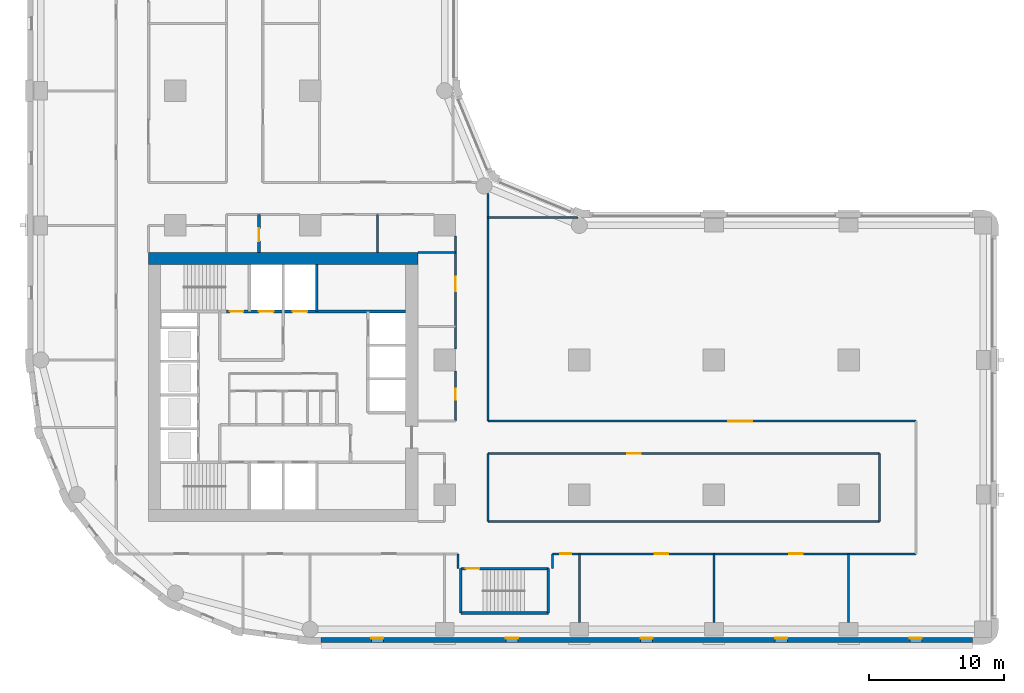
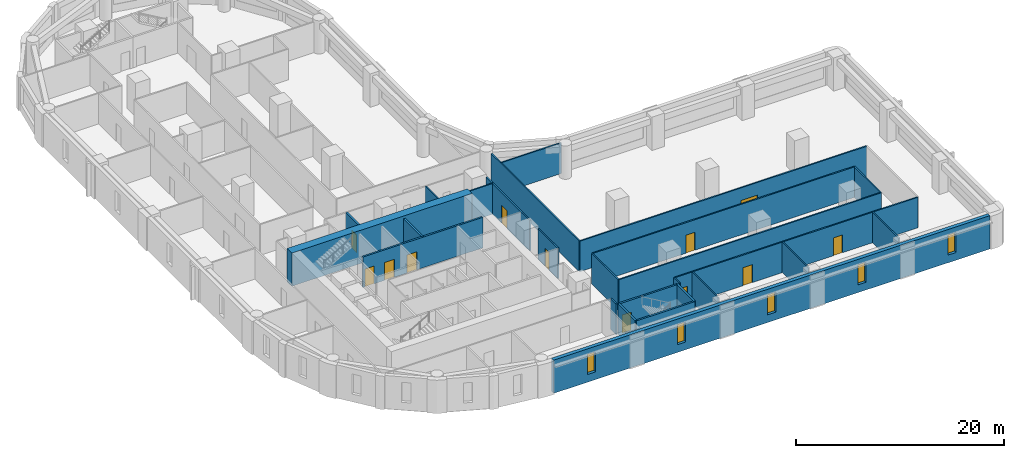
# One storey, part 4 of 10: 26 walls, 12 doors, 5 windows, 17 openings.
"""IFC4 building model written with IfcOpenShell, lengths in metres."""

from ifc_helpers import new_model, si_unit, direction, frame, frame_2d, origin, place, context, subcontext, project, spatial, rectangle, extrude, material, layer, layer_set, type_object, element, fill, save


model = new_model("IFC4")

# Units and contexts
model_context = context("Model", 3, precision=1e-05, world=origin(), true_north=direction((0.0, 1.0)))
body_context = subcontext(model_context, "Body", "Model", "MODEL_VIEW")
ifc_project = project(units=[si_unit("LENGTHUNIT", "METRE"), si_unit("AREAUNIT", "SQUARE_METRE"), si_unit("VOLUMEUNIT", "CUBIC_METRE"), si_unit("PLANEANGLEUNIT", "RADIAN"), si_unit("MASSUNIT", "GRAM", prefix="KILO")], contexts=[model_context])

# Site, building, storey
site_placement = place(None, origin())
site = spatial("IfcSite", under=ifc_project, at=site_placement, CompositionType="ELEMENT")
building_placement = place(site_placement, origin())
building = spatial("IfcBuilding", under=site, at=building_placement, Name="Qaws Garden Tower", CompositionType="ELEMENT")
storey_placement = place(building_placement, frame((0.0, 0.0, 101.699951171875)))
storey = spatial("IfcBuildingStorey", under=building, at=storey_placement, Name="L25", CompositionType="ELEMENT", Elevation=101.699951171875)

# Wall, opening, door
ifc_material_1 = material(Name="Blockwork", Category="masonry")
ifc_layer_1 = layer(ifc_material_1, 0.199951171875)
ifc_layer_set_1 = layer_set([ifc_layer_1], Name="Blockwork")
wall_type_1 = type_object("IfcWallType", Name="BLOCK WALL 200 EI 60", PredefinedType="PARTITIONING", material=ifc_layer_set_1)
wall_1_placement = place(storey_placement, frame((16.199951171875, 28.0, 0.0), z_axis=(0.0, 0.0, 1.0), x_axis=(0.0, 1.0, 0.0)))
wall_1 = element("IfcWall", 1, at=wall_1_placement, inside=storey, type_object=wall_type_1, Name="O-L25-wall-063", PredefinedType="PARTITIONING", context=body_context, shape_type="SweptSolid", body=[
    extrude(rectangle(XDim=2.800048828125, YDim=0.199951171875, at=frame_2d((1.39990234375, 0.0))), origin(), (0.0, 0.0, 1.0), 3.580078125),
])
opening_1_placement = place(wall_1_placement, frame((0.824951171875, 0.0, 0.0)))
opening_1 = element("IfcOpeningElement", 2, at=opening_1_placement, cuts=wall_1, Name="Opening A830", PredefinedType="OPENING", context=body_context, shape_type="SweptSolid", body=[
    extrude(rectangle(XDim=0.949951171875, YDim=2.10009765625, at=frame_2d((0.47509765625, 1.050048828125))), frame((0.0, 0.10986328125, 0.0), z_axis=(0.0, -1.0, 0.0), x_axis=(1.0, 0.0, 0.0)), (0.0, 0.0, 1.0), 0.219970703125),
])
ifc_material_2 = material(Name="Timber and glass door leaf", Category="wood")
door_type_1 = type_object("IfcDoorType", Name="GLAZED DOOR 950 X 2100", OperationType="SINGLE_SWING_LEFT", PredefinedType="DOOR", material=ifc_material_2)
door_1_placement = place(opening_1_placement, origin())
door_1 = element("IfcDoor", 3, at=door_1_placement, inside=storey, type_object=door_type_1, Name="O-L25-door-030", OperationType="SINGLE_SWING_LEFT", OverallHeight=2.10009765625, OverallWidth=0.949951171875, PredefinedType="DOOR", context=body_context, shape_type="SweptSolid", body=[
    extrude(rectangle(XDim=0.949951171875, YDim=2.10009765625, at=frame_2d((0.47509765625, 1.050048828125))), frame((0.0, 0.02490234375, 0.0), z_axis=(0.0, -1.0, 0.0), x_axis=(1.0, 0.0, 0.0)), (0.0, 0.0, 1.0), 0.050048828125),
])
fill(opening_1, door_1)

# Wall, openings, windows
ifc_material_3 = material(Name="Clay facing brick masonry", Category="masonry")
ifc_layer_2 = layer(ifc_material_3, 0.39990234375)
ifc_layer_set_2 = layer_set([ifc_layer_2], Name="Clay facing brick masonry")
wall_type_2 = type_object("IfcWallType", Name="Brick infill wall 400", PredefinedType="SOLIDWALL", material=ifc_layer_set_2)
wall_2_placement = place(storey_placement, frame((20.800048828125, -0.800048828125, 0.0), z_axis=(0.0, 0.0, 1.0), x_axis=(1.0, 0.0, 0.0)))
wall_2 = element("IfcWall", 4, at=wall_2_placement, inside=storey, type_object=wall_type_2, Name="E-L25-infill-00", PredefinedType="SOLIDWALL", context=body_context, shape_type="SweptSolid", body=[
    extrude(rectangle(XDim=48.39990234375, YDim=0.39990234375, at=frame_2d((24.199951171875, 0.0))), origin(), (0.0, 0.0, 1.0), 3.900146484375),
])
opening_2_placement = place(wall_2_placement, frame((3.75, 0.0, 0.89990234375)))
opening_2 = element("IfcOpeningElement", 5, at=opening_2_placement, cuts=wall_2, Name="Opening W09", PredefinedType="OPENING", context=body_context, shape_type="SweptSolid", body=[
    extrude(rectangle(XDim=0.89990234375, YDim=2.35009765625, at=frame_2d((0.449951171875, 1.175048828125))), frame((0.0, 0.2099609375, 0.0), z_axis=(0.0, -1.0, 0.0), x_axis=(1.0, 0.0, 0.0)), (0.0, 0.0, 1.0), 0.419921875),
])
opening_3_placement = place(wall_2_placement, frame((13.75, 0.0, 0.89990234375)))
opening_3 = element("IfcOpeningElement", 6, at=opening_3_placement, cuts=wall_2, Name="Opening W09", PredefinedType="OPENING", context=body_context, shape_type="SweptSolid", body=[
    extrude(rectangle(XDim=0.89990234375, YDim=2.35009765625, at=frame_2d((0.449951171875, 1.175048828125))), frame((0.0, 0.2099609375, 0.0), z_axis=(0.0, -1.0, 0.0), x_axis=(1.0, 0.0, 0.0)), (0.0, 0.0, 1.0), 0.419921875),
])
opening_4_placement = place(wall_2_placement, frame((23.75, 0.0, 0.89990234375)))
opening_4 = element("IfcOpeningElement", 7, at=opening_4_placement, cuts=wall_2, Name="Opening W09", PredefinedType="OPENING", context=body_context, shape_type="SweptSolid", body=[
    extrude(rectangle(XDim=0.89990234375, YDim=2.35009765625, at=frame_2d((0.449951171875, 1.175048828125))), frame((0.0, 0.2099609375, 0.0), z_axis=(0.0, -1.0, 0.0), x_axis=(1.0, 0.0, 0.0)), (0.0, 0.0, 1.0), 0.419921875),
])
opening_5_placement = place(wall_2_placement, frame((33.75, 0.0, 0.89990234375)))
opening_5 = element("IfcOpeningElement", 8, at=opening_5_placement, cuts=wall_2, Name="Opening W09", PredefinedType="OPENING", context=body_context, shape_type="SweptSolid", body=[
    extrude(rectangle(XDim=0.89990234375, YDim=2.35009765625, at=frame_2d((0.449951171875, 1.175048828125))), frame((0.0, 0.2099609375, 0.0), z_axis=(0.0, -1.0, 0.0), x_axis=(1.0, 0.0, 0.0)), (0.0, 0.0, 1.0), 0.419921875),
])
opening_6_placement = place(wall_2_placement, frame((43.75, 0.0, 0.89990234375)))
opening_6 = element("IfcOpeningElement", 9, at=opening_6_placement, cuts=wall_2, Name="Opening W09", PredefinedType="OPENING", context=body_context, shape_type="SweptSolid", body=[
    extrude(rectangle(XDim=0.89990234375, YDim=2.35009765625, at=frame_2d((0.449951171875, 1.175048828125))), frame((0.0, 0.2099609375, 0.0), z_axis=(0.0, -1.0, 0.0), x_axis=(1.0, 0.0, 0.0)), (0.0, 0.0, 1.0), 0.419921875),
])
ifc_material_4 = material(Name="Aluminium framed window, clear glazing", Category="aluminium")
window_type = type_object("IfcWindowType", Name="Slit window 900 x 2350", PartitioningType="SINGLE_PANEL", PredefinedType="WINDOW", material=ifc_material_4)
window_1_placement = place(opening_2_placement, origin())
window_1 = element("IfcWindow", 10, at=window_1_placement, inside=storey, type_object=window_type, Name="E-L25-window-00-0", OverallHeight=2.35009765625, OverallWidth=0.89990234375, PartitioningType="SINGLE_PANEL", PredefinedType="WINDOW", context=body_context, shape_type="SweptSolid", body=[
    extrude(rectangle(XDim=0.89990234375, YDim=2.35009765625, at=frame_2d((0.449951171875, 1.175048828125))), frame((0.0, 0.159912109375, 0.0), z_axis=(0.0, -1.0, 0.0), x_axis=(1.0, 0.0, 0.0)), (0.0, 0.0, 1.0), 0.06005859375),
])
fill(opening_2, window_1)
window_2_placement = place(opening_3_placement, origin())
window_2 = element("IfcWindow", 11, at=window_2_placement, inside=storey, type_object=window_type, Name="E-L25-window-01-0", OverallHeight=2.35009765625, OverallWidth=0.89990234375, PartitioningType="SINGLE_PANEL", PredefinedType="WINDOW", context=body_context, shape_type="SweptSolid", body=[
    extrude(rectangle(XDim=0.89990234375, YDim=2.35009765625, at=frame_2d((0.449951171875, 1.175048828125))), frame((0.0, 0.159912109375, 0.0), z_axis=(0.0, -1.0, 0.0), x_axis=(1.0, 0.0, 0.0)), (0.0, 0.0, 1.0), 0.06005859375),
])
fill(opening_3, window_2)
window_3_placement = place(opening_4_placement, origin())
window_3 = element("IfcWindow", 12, at=window_3_placement, inside=storey, type_object=window_type, Name="E-L25-window-02-0", OverallHeight=2.35009765625, OverallWidth=0.89990234375, PartitioningType="SINGLE_PANEL", PredefinedType="WINDOW", context=body_context, shape_type="SweptSolid", body=[
    extrude(rectangle(XDim=0.89990234375, YDim=2.35009765625, at=frame_2d((0.449951171875, 1.175048828125))), frame((0.0, 0.159912109375, 0.0), z_axis=(0.0, -1.0, 0.0), x_axis=(1.0, 0.0, 0.0)), (0.0, 0.0, 1.0), 0.06005859375),
])
fill(opening_4, window_3)
window_4_placement = place(opening_5_placement, origin())
window_4 = element("IfcWindow", 13, at=window_4_placement, inside=storey, type_object=window_type, Name="E-L25-window-03-0", OverallHeight=2.35009765625, OverallWidth=0.89990234375, PartitioningType="SINGLE_PANEL", PredefinedType="WINDOW", context=body_context, shape_type="SweptSolid", body=[
    extrude(rectangle(XDim=0.89990234375, YDim=2.35009765625, at=frame_2d((0.449951171875, 1.175048828125))), frame((0.0, 0.159912109375, 0.0), z_axis=(0.0, -1.0, 0.0), x_axis=(1.0, 0.0, 0.0)), (0.0, 0.0, 1.0), 0.06005859375),
])
fill(opening_5, window_4)
window_5_placement = place(opening_6_placement, origin())
window_5 = element("IfcWindow", 14, at=window_5_placement, inside=storey, type_object=window_type, Name="E-L25-window-04-0", OverallHeight=2.35009765625, OverallWidth=0.89990234375, PartitioningType="SINGLE_PANEL", PredefinedType="WINDOW", context=body_context, shape_type="SweptSolid", body=[
    extrude(rectangle(XDim=0.89990234375, YDim=2.35009765625, at=frame_2d((0.449951171875, 1.175048828125))), frame((0.0, 0.159912109375, 0.0), z_axis=(0.0, -1.0, 0.0), x_axis=(1.0, 0.0, 0.0)), (0.0, 0.0, 1.0), 0.06005859375),
])
fill(opening_6, window_5)

# Wall
ifc_material_5 = material(Name="Concrete C80", Category="concrete")
ifc_layer_3 = layer(ifc_material_5, 0.199951171875)
ifc_layer_set_3 = layer_set([ifc_layer_3], Name="Concrete C80")
wall_type_3 = type_object("IfcWallType", Name="Core shaft wall 200 C80", PredefinedType="SHEAR", material=ifc_layer_set_3)
wall_3_placement = place(storey_placement, frame((31.199951171875, 1.199951171875, 0.0), z_axis=(0.0, 0.0, 1.0), x_axis=(1.0, 0.0, 0.0)))
element("IfcWall", 15, at=wall_3_placement, inside=storey, type_object=wall_type_3, Name="Shaft wall", PredefinedType="SHEAR", context=body_context, shape_type="SweptSolid", body=[
    extrude(rectangle(XDim=6.5, YDim=0.199951171875, at=frame_2d((3.25, 0.0))), origin(), (0.0, 0.0, 1.0), 3.580078125),
])

# Wall, opening, door
wall_4_placement = place(storey_placement, frame((31.199951171875, 4.5, 0.0), z_axis=(0.0, 0.0, 1.0), x_axis=(1.0, 0.0, 0.0)))
wall_4 = element("IfcWall", 16, at=wall_4_placement, inside=storey, type_object=wall_type_3, Name="Shaft wall", PredefinedType="SHEAR", context=body_context, shape_type="SweptSolid", body=[
    extrude(rectangle(XDim=6.5, YDim=0.199951171875, at=frame_2d((3.25, 0.0))), origin(), (0.0, 0.0, 1.0), 3.580078125),
])
opening_7_placement = place(wall_4_placement, frame((0.375, 0.0, 0.0)))
opening_7 = element("IfcOpeningElement", 17, at=opening_7_placement, cuts=wall_4, Name="Opening SD12", PredefinedType="OPENING", context=body_context, shape_type="SweptSolid", body=[
    extrude(rectangle(XDim=1.0, YDim=2.10009765625, at=frame_2d((0.5, 1.050048828125))), frame((0.0, 0.10986328125, 0.0), z_axis=(0.0, -1.0, 0.0), x_axis=(1.0, 0.0, 0.0)), (0.0, 0.0, 1.0), 0.219970703125),
])
ifc_material_6 = material(Name="Steel S235", Category="steel")
door_type_2 = type_object("IfcDoorType", Name="Stair door 1000x2100", OperationType="SINGLE_SWING_RIGHT", PredefinedType="DOOR", material=ifc_material_6)
door_2_placement = place(opening_7_placement, frame((1.0, 0.0, 0.0), z_axis=(0.0, 0.0, 1.0), x_axis=(-1.0, 0.0, 0.0)))
door_2 = element("IfcDoor", 18, at=door_2_placement, inside=storey, type_object=door_type_2, Name="Stair 5 door", OperationType="SINGLE_SWING_RIGHT", OverallHeight=2.10009765625, OverallWidth=1.0, PredefinedType="DOOR", context=body_context, shape_type="SweptSolid", body=[
    extrude(rectangle(XDim=1.0, YDim=2.10009765625, at=frame_2d((0.5, 1.050048828125))), frame((0.0, 0.02490234375, 0.0), z_axis=(0.0, -1.0, 0.0), x_axis=(1.0, 0.0, 0.0)), (0.0, 0.0, 1.0), 0.050048828125),
])
fill(opening_7, door_2)

# Wall, openings, doors
wall_5_placement = place(storey_placement, frame((13.800048828125, 23.60009765625, 0.0), z_axis=(0.0, 0.0, 1.0), x_axis=(1.0, 0.0, 0.0)))
wall_5 = element("IfcWall", 19, at=wall_5_placement, inside=storey, type_object=wall_type_3, Name="Shaft wall", PredefinedType="SHEAR", context=body_context, shape_type="SweptSolid", body=[
    extrude(rectangle(XDim=13.300048828125, YDim=0.199951171875, at=frame_2d((6.64990234375, 0.0))), origin(), (0.0, 0.0, 1.0), 3.580078125),
])
opening_8_placement = place(wall_5_placement, frame((2.39990234375, 0.0, 0.0)))
opening_8 = element("IfcOpeningElement", 20, at=opening_8_placement, cuts=wall_5, Name="Opening LD08", PredefinedType="OPENING", context=body_context, shape_type="SweptSolid", body=[
    extrude(rectangle(XDim=1.10009765625, YDim=2.10009765625, at=frame_2d((0.550048828125, 1.050048828125))), frame((0.0, 0.10986328125, 0.0), z_axis=(0.0, -1.0, 0.0), x_axis=(1.0, 0.0, 0.0)), (0.0, 0.0, 1.0), 0.219970703125),
])
opening_9_placement = place(wall_5_placement, frame((4.89990234375, 0.0, 0.0)))
opening_9 = element("IfcOpeningElement", 21, at=opening_9_placement, cuts=wall_5, Name="Opening LD09", PredefinedType="OPENING", context=body_context, shape_type="SweptSolid", body=[
    extrude(rectangle(XDim=1.10009765625, YDim=2.10009765625, at=frame_2d((0.550048828125, 1.050048828125))), frame((0.0, 0.10986328125, 0.0), z_axis=(0.0, -1.0, 0.0), x_axis=(1.0, 0.0, 0.0)), (0.0, 0.0, 1.0), 0.219970703125),
])
opening_10_placement = place(wall_5_placement, frame((0.25, 0.0, 0.0)))
opening_10 = element("IfcOpeningElement", 22, at=opening_10_placement, cuts=wall_5, Name="Opening SD11", PredefinedType="OPENING", context=body_context, shape_type="SweptSolid", body=[
    extrude(rectangle(XDim=1.0, YDim=2.10009765625, at=frame_2d((0.5, 1.050048828125))), frame((0.0, 0.10986328125, 0.0), z_axis=(0.0, -1.0, 0.0), x_axis=(1.0, 0.0, 0.0)), (0.0, 0.0, 1.0), 0.219970703125),
])
ifc_material_7 = material(Name="Steel S235", Category="steel")
door_type_3 = type_object("IfcDoorType", Name="Landing door 1100x2100", OperationType="DOUBLE_DOOR_SLIDING", PredefinedType="DOOR", material=ifc_material_7)
door_3_placement = place(opening_8_placement, origin())
door_3 = element("IfcDoor", 23, at=door_3_placement, inside=storey, type_object=door_type_3, Name="Lift FF3 landing door", OperationType="DOUBLE_DOOR_SLIDING", OverallHeight=2.10009765625, OverallWidth=1.10009765625, PredefinedType="DOOR", context=body_context, shape_type="SweptSolid", body=[
    extrude(rectangle(XDim=1.10009765625, YDim=2.10009765625, at=frame_2d((0.550048828125, 1.050048828125))), frame((0.0, 0.02490234375, 0.0), z_axis=(0.0, -1.0, 0.0), x_axis=(1.0, 0.0, 0.0)), (0.0, 0.0, 1.0), 0.050048828125),
])
fill(opening_8, door_3)
door_4_placement = place(opening_9_placement, origin())
door_4 = element("IfcDoor", 24, at=door_4_placement, inside=storey, type_object=door_type_3, Name="Lift SV2 landing door", OperationType="DOUBLE_DOOR_SLIDING", OverallHeight=2.10009765625, OverallWidth=1.10009765625, PredefinedType="DOOR", context=body_context, shape_type="SweptSolid", body=[
    extrude(rectangle(XDim=1.10009765625, YDim=2.10009765625, at=frame_2d((0.550048828125, 1.050048828125))), frame((0.0, 0.02490234375, 0.0), z_axis=(0.0, -1.0, 0.0), x_axis=(1.0, 0.0, 0.0)), (0.0, 0.0, 1.0), 0.050048828125),
])
fill(opening_9, door_4)
door_5_placement = place(opening_10_placement, origin())
door_5 = element("IfcDoor", 25, at=door_5_placement, inside=storey, type_object=door_type_2, Name="Stair 4 door", OperationType="SINGLE_SWING_RIGHT", OverallHeight=2.10009765625, OverallWidth=1.0, PredefinedType="DOOR", context=body_context, shape_type="SweptSolid", body=[
    extrude(rectangle(XDim=1.0, YDim=2.10009765625, at=frame_2d((0.5, 1.050048828125))), frame((0.0, 0.02490234375, 0.0), z_axis=(0.0, -1.0, 0.0), x_axis=(1.0, 0.0, 0.0)), (0.0, 0.0, 1.0), 0.050048828125),
])
fill(opening_10, door_5)

# Walls
wall_6_placement = place(storey_placement, frame((20.5, 23.60009765625, 0.0), z_axis=(0.0, 0.0, 1.0), x_axis=(0.0, 1.0, 0.0)))
element("IfcWall", 26, at=wall_6_placement, inside=storey, type_object=wall_type_3, Name="Shaft wall", PredefinedType="SHEAR", context=body_context, shape_type="SweptSolid", body=[
    extrude(rectangle(XDim=3.5, YDim=0.199951171875, at=frame_2d((1.75, 0.0))), origin(), (0.0, 0.0, 1.0), 3.580078125),
])
for number, where, z_axis, x_axis, name in (
    (27, (31.199951171875, 1.199951171875, 0.0), (0.0, 0.0, 1.0), (0.0, 1.0, 0.0), "Shaft wall"),
    (28, (37.699951171875, 1.199951171875, 0.0), (0.0, 0.0, 1.0), (0.0, 1.0, 0.0), "Shaft wall"),
):
    element("IfcWall", number, at=place(storey_placement, frame(where, z_axis=z_axis, x_axis=x_axis)), inside=storey, type_object=wall_type_3, Name=name, PredefinedType="SHEAR", context=body_context, shape_type="SweptSolid", body=[
        extrude(rectangle(XDim=3.300048828125, YDim=0.199951171875, at=frame_2d((1.64990234375, 0.0))), origin(), (0.0, 0.0, 1.0), 3.580078125),
    ])
ifc_material_8 = material(Name="Concrete C80", Category="concrete")
ifc_layer_4 = layer(ifc_material_8, 0.89990234375)
ifc_layer_set_4 = layer_set([ifc_layer_4], Name="Concrete C80")
wall_type_4 = type_object("IfcWallType", Name="Core wall 900 C80", PredefinedType="SHEAR", material=ifc_layer_set_4)
wall_7_placement = place(storey_placement, frame((28.0, 27.550048828125, 0.0), z_axis=(0.0, 0.0, 1.0), x_axis=(-1.0, 0.0, 0.0)))
element("IfcWall", 29, at=wall_7_placement, inside=storey, type_object=wall_type_4, Name="Core wall L25 north", PredefinedType="SHEAR", context=body_context, shape_type="SweptSolid", body=[
    extrude(rectangle(XDim=20.0, YDim=0.89990234375, at=frame_2d((10.0, 0.0))), origin(), (0.0, 0.0, 1.0), 3.900146484375),
])
ifc_material_9 = material(Name="Gypsum board partition")
ifc_layer_5 = layer(ifc_material_9, 0.14990234375)
ifc_layer_set_5 = layer_set([ifc_layer_5], Name="Gypsum board partition")
wall_type_5 = type_object("IfcWallType", Name="PARTITION 150 EI 60", PredefinedType="PARTITIONING", material=ifc_layer_set_5)
wall_8_placement = place(storey_placement, frame((25.0, 28.0, 0.0), z_axis=(0.0, 0.0, 1.0), x_axis=(0.0, 1.0, 0.0)))
element("IfcWall", 30, at=wall_8_placement, inside=storey, type_object=wall_type_5, Name="O-L25-wall-014", PredefinedType="PARTITIONING", context=body_context, shape_type="SweptSolid", body=[
    extrude(rectangle(XDim=2.800048828125, YDim=0.14990234375, at=frame_2d((1.39990234375, 0.0))), origin(), (0.0, 0.0, 1.0), 3.580078125),
])

# Wall, opening, door
wall_9_placement = place(storey_placement, frame((30.800048828125, 15.449951171875, 0.0), z_axis=(0.0, 0.0, 1.0), x_axis=(0.0, 1.0, 0.0)))
wall_9 = element("IfcWall", 31, at=wall_9_placement, inside=storey, type_object=wall_type_5, Name="O-L25-wall-020", PredefinedType="PARTITIONING", context=body_context, shape_type="SweptSolid", body=[
    extrude(rectangle(XDim=3.75, YDim=0.14990234375, at=frame_2d((1.875, 0.0))), origin(), (0.0, 0.0, 1.0), 3.580078125),
])
opening_11_placement = place(wall_9_placement, frame((1.60009765625, 0.0, 0.0)))
opening_11 = element("IfcOpeningElement", 32, at=opening_11_placement, cuts=wall_9, Name="Opening A808", PredefinedType="OPENING", context=body_context, shape_type="SweptSolid", body=[
    extrude(rectangle(XDim=0.800048828125, YDim=2.10009765625, at=frame_2d((0.39990234375, 1.050048828125))), frame((0.0, 0.0849609375, 0.0), z_axis=(0.0, -1.0, 0.0), x_axis=(1.0, 0.0, 0.0)), (0.0, 0.0, 1.0), 0.169921875),
])
ifc_material_10 = material(Name="Timber door leaf", Category="wood")
door_type_4 = type_object("IfcDoorType", Name="STORE DOOR 800 X 2100", OperationType="SINGLE_SWING_LEFT", PredefinedType="DOOR", material=ifc_material_10)
door_6_placement = place(opening_11_placement, origin())
door_6 = element("IfcDoor", 33, at=door_6_placement, inside=storey, type_object=door_type_4, Name="O-L25-door-008", OperationType="SINGLE_SWING_RIGHT", OverallHeight=2.10009765625, OverallWidth=0.800048828125, PredefinedType="DOOR", context=body_context, shape_type="SweptSolid", body=[
    extrude(rectangle(XDim=0.800048828125, YDim=2.10009765625, at=frame_2d((0.39990234375, 1.050048828125))), frame((0.0, 0.02490234375, 0.0), z_axis=(0.0, -1.0, 0.0), x_axis=(1.0, 0.0, 0.0)), (0.0, 0.0, 1.0), 0.050048828125),
])
fill(opening_11, door_6)

wall_10_placement = place(storey_placement, frame((30.800048828125, 20.800048828125, 0.0), z_axis=(0.0, 0.0, 1.0), x_axis=(0.0, 1.0, 0.0)))
wall_10 = element("IfcWall", 34, at=wall_10_placement, inside=storey, type_object=wall_type_5, Name="O-L25-wall-021", PredefinedType="PARTITIONING", context=body_context, shape_type="SweptSolid", body=[
    extrude(rectangle(XDim=8.39990234375, YDim=0.14990234375, at=frame_2d((4.199951171875, 0.0))), origin(), (0.0, 0.0, 1.0), 3.580078125),
])
opening_12_placement = place(wall_10_placement, frame((4.300048828125, 0.0, 0.0)))
opening_12 = element("IfcOpeningElement", 35, at=opening_12_placement, cuts=wall_10, Name="Opening A809", PredefinedType="OPENING", context=body_context, shape_type="SweptSolid", body=[
    extrude(rectangle(XDim=1.10009765625, YDim=2.10009765625, at=frame_2d((0.550048828125, 1.050048828125))), frame((0.0, 0.0849609375, 0.0), z_axis=(0.0, -1.0, 0.0), x_axis=(1.0, 0.0, 0.0)), (0.0, 0.0, 1.0), 0.169921875),
])
ifc_material_11 = material(Name="Timber door leaf", Category="wood")
door_type_5 = type_object("IfcDoorType", Name="SERVICE ROOM DOOR 1100 X 2100", OperationType="SINGLE_SWING_LEFT", PredefinedType="DOOR", material=ifc_material_11)
door_7_placement = place(opening_12_placement, origin())
door_7 = element("IfcDoor", 36, at=door_7_placement, inside=storey, type_object=door_type_5, Name="O-L25-door-009", OperationType="SINGLE_SWING_RIGHT", OverallHeight=2.10009765625, OverallWidth=1.10009765625, PredefinedType="DOOR", context=body_context, shape_type="SweptSolid", body=[
    extrude(rectangle(XDim=1.10009765625, YDim=2.10009765625, at=frame_2d((0.550048828125, 1.050048828125))), frame((0.0, 0.02490234375, 0.0), z_axis=(0.0, -1.0, 0.0), x_axis=(1.0, 0.0, 0.0)), (0.0, 0.0, 1.0), 0.050048828125),
])
fill(opening_12, door_7)

# Walls
wall_11_placement = place(storey_placement, frame((31.0, 4.5, 0.0), z_axis=(0.0, 0.0, 1.0), x_axis=(0.0, 1.0, 0.0)))
element("IfcWall", 37, at=wall_11_placement, inside=storey, type_object=wall_type_5, Name="O-L25-wall-022", PredefinedType="PARTITIONING", context=body_context, shape_type="SweptSolid", body=[
    extrude(rectangle(XDim=1.10009765625, YDim=0.14990234375, at=frame_2d((0.550048828125, 0.0))), origin(), (0.0, 0.0, 1.0), 3.580078125),
])
wall_12_placement = place(storey_placement, frame((33.199951171875, 8.0, 0.0), z_axis=(0.0, 0.0, 1.0), x_axis=(0.0, 1.0, 0.0)))
element("IfcWall", 38, at=wall_12_placement, inside=storey, type_object=wall_type_5, Name="O-L25-wall-023", PredefinedType="PARTITIONING", context=body_context, shape_type="SweptSolid", body=[
    extrude(rectangle(XDim=5.050048828125, YDim=0.14990234375, at=frame_2d((2.52490234375, 0.0))), origin(), (0.0, 0.0, 1.0), 3.580078125),
])
wall_13_placement = place(storey_placement, frame((33.199951171875, 15.449951171875, 0.0), z_axis=(0.0, 0.0, 1.0), x_axis=(0.0, 1.0, 0.0)))
element("IfcWall", 39, at=wall_13_placement, inside=storey, type_object=wall_type_5, Name="O-L25-wall-024", PredefinedType="PARTITIONING", context=body_context, shape_type="SweptSolid", body=[
    extrude(rectangle(XDim=16.912109375, YDim=0.14990234375, at=frame_2d((8.4560546875, 0.0))), origin(), (0.0, 0.0, 1.0), 3.580078125),
])
wall_14_placement = place(storey_placement, frame((38.0, 4.5, 0.0), z_axis=(0.0, 0.0, 1.0), x_axis=(0.0, 1.0, 0.0)))
element("IfcWall", 40, at=wall_14_placement, inside=storey, type_object=wall_type_5, Name="O-L25-wall-025", PredefinedType="PARTITIONING", context=body_context, shape_type="SweptSolid", body=[
    extrude(rectangle(XDim=1.10009765625, YDim=0.14990234375, at=frame_2d((0.550048828125, 0.0))), origin(), (0.0, 0.0, 1.0), 3.580078125),
])
for number, where, z_axis, x_axis, name in (
    (41, (40.0, 0.5, 0.0), (0.0, 0.0, 1.0), (0.0, 1.0, 0.0), "O-L25-wall-026"),
    (42, (50.0, 0.5, 0.0), (0.0, 0.0, 1.0), (0.0, 1.0, 0.0), "O-L25-wall-027"),
    (43, (60.0, 0.5, 0.0), (0.0, 0.0, 1.0), (0.0, 1.0, 0.0), "O-L25-wall-028"),
):
    element("IfcWall", number, at=place(storey_placement, frame(where, z_axis=z_axis, x_axis=x_axis)), inside=storey, type_object=wall_type_5, Name=name, PredefinedType="PARTITIONING", context=body_context, shape_type="SweptSolid", body=[
        extrude(rectangle(XDim=5.10009765625, YDim=0.14990234375, at=frame_2d((2.550048828125, 0.0))), origin(), (0.0, 0.0, 1.0), 3.580078125),
    ])
wall_15_placement = place(storey_placement, frame((62.300048828125, 8.0, 0.0), z_axis=(0.0, 0.0, 1.0), x_axis=(0.0, 1.0, 0.0)))
element("IfcWall", 44, at=wall_15_placement, inside=storey, type_object=wall_type_5, Name="O-L25-wall-029", PredefinedType="PARTITIONING", context=body_context, shape_type="SweptSolid", body=[
    extrude(rectangle(XDim=5.050048828125, YDim=0.14990234375, at=frame_2d((2.52490234375, 0.0))), origin(), (0.0, 0.0, 1.0), 3.580078125),
])

# Wall, openings, doors
wall_16_placement = place(storey_placement, frame((38.0, 5.60009765625, 0.0), z_axis=(0.0, 0.0, 1.0), x_axis=(1.0, 0.0, 0.0)))
wall_16 = element("IfcWall", 45, at=wall_16_placement, inside=storey, type_object=wall_type_5, Name="O-L25-wall-032", PredefinedType="PARTITIONING", context=body_context, shape_type="SweptSolid", body=[
    extrude(rectangle(XDim=27.0, YDim=0.14990234375, at=frame_2d((13.5, 0.0))), origin(), (0.0, 0.0, 1.0), 3.580078125),
])
opening_13_placement = place(wall_16_placement, frame((7.60009765625, 0.0, 0.0)))
opening_13 = element("IfcOpeningElement", 46, at=opening_13_placement, cuts=wall_16, Name="Opening A803", PredefinedType="OPENING", context=body_context, shape_type="SweptSolid", body=[
    extrude(rectangle(XDim=1.0, YDim=2.10009765625, at=frame_2d((0.5, 1.050048828125))), frame((0.0, 0.0849609375, 0.0), z_axis=(0.0, -1.0, 0.0), x_axis=(1.0, 0.0, 0.0)), (0.0, 0.0, 1.0), 0.169921875),
])
opening_14_placement = place(wall_16_placement, frame((17.60009765625, 0.0, 0.0)))
opening_14 = element("IfcOpeningElement", 47, at=opening_14_placement, cuts=wall_16, Name="Opening A804", PredefinedType="OPENING", context=body_context, shape_type="SweptSolid", body=[
    extrude(rectangle(XDim=1.0, YDim=2.10009765625, at=frame_2d((0.5, 1.050048828125))), frame((0.0, 0.0849609375, 0.0), z_axis=(0.0, -1.0, 0.0), x_axis=(1.0, 0.0, 0.0)), (0.0, 0.0, 1.0), 0.169921875),
])
opening_15_placement = place(wall_16_placement, frame((0.60009765625, 0.0, 0.0)))
opening_15 = element("IfcOpeningElement", 48, at=opening_15_placement, cuts=wall_16, Name="Opening A829", PredefinedType="OPENING", context=body_context, shape_type="SweptSolid", body=[
    extrude(rectangle(XDim=0.800048828125, YDim=2.10009765625, at=frame_2d((0.39990234375, 1.050048828125))), frame((0.0, 0.0849609375, 0.0), z_axis=(0.0, -1.0, 0.0), x_axis=(1.0, 0.0, 0.0)), (0.0, 0.0, 1.0), 0.169921875),
])
door_8_placement = place(opening_15_placement, frame((0.800048828125, 0.0, 0.0), z_axis=(0.0, 0.0, 1.0), x_axis=(-1.0, 0.0, 0.0)))
door_8 = element("IfcDoor", 49, at=door_8_placement, inside=storey, type_object=door_type_4, Name="O-L25-door-029", OperationType="SINGLE_SWING_RIGHT", OverallHeight=2.10009765625, OverallWidth=0.800048828125, PredefinedType="DOOR", context=body_context, shape_type="SweptSolid", body=[
    extrude(rectangle(XDim=0.800048828125, YDim=2.10009765625, at=frame_2d((0.39990234375, 1.050048828125))), frame((0.0, 0.02490234375, 0.0), z_axis=(0.0, -1.0, 0.0), x_axis=(1.0, 0.0, 0.0)), (0.0, 0.0, 1.0), 0.050048828125),
])
fill(opening_15, door_8)
ifc_material_12 = material(Name="Timber door leaf", Category="wood")
door_type_6 = type_object("IfcDoorType", Name="TENANCY ENTRANCE DOOR 1000 X 2100", OperationType="SINGLE_SWING_LEFT", PredefinedType="DOOR", material=ifc_material_12)
door_9_placement = place(opening_13_placement, frame((1.0, 0.0, 0.0), z_axis=(0.0, 0.0, 1.0), x_axis=(-1.0, 0.0, 0.0)))
door_9 = element("IfcDoor", 50, at=door_9_placement, inside=storey, type_object=door_type_6, Name="O-L25-door-003", OperationType="SINGLE_SWING_RIGHT", OverallHeight=2.10009765625, OverallWidth=1.0, PredefinedType="DOOR", context=body_context, shape_type="SweptSolid", body=[
    extrude(rectangle(XDim=1.0, YDim=2.10009765625, at=frame_2d((0.5, 1.050048828125))), frame((0.0, 0.02490234375, 0.0), z_axis=(0.0, -1.0, 0.0), x_axis=(1.0, 0.0, 0.0)), (0.0, 0.0, 1.0), 0.050048828125),
])
fill(opening_13, door_9)
door_10_placement = place(opening_14_placement, frame((1.0, 0.0, 0.0), z_axis=(0.0, 0.0, 1.0), x_axis=(-1.0, 0.0, 0.0)))
door_10 = element("IfcDoor", 51, at=door_10_placement, inside=storey, type_object=door_type_6, Name="O-L25-door-004", OperationType="SINGLE_SWING_RIGHT", OverallHeight=2.10009765625, OverallWidth=1.0, PredefinedType="DOOR", context=body_context, shape_type="SweptSolid", body=[
    extrude(rectangle(XDim=1.0, YDim=2.10009765625, at=frame_2d((0.5, 1.050048828125))), frame((0.0, 0.02490234375, 0.0), z_axis=(0.0, -1.0, 0.0), x_axis=(1.0, 0.0, 0.0)), (0.0, 0.0, 1.0), 0.050048828125),
])
fill(opening_14, door_10)

# Wall
wall_17_placement = place(storey_placement, frame((33.199951171875, 8.0, 0.0), z_axis=(0.0, 0.0, 1.0), x_axis=(1.0, 0.0, 0.0)))
element("IfcWall", 52, at=wall_17_placement, inside=storey, type_object=wall_type_5, Name="O-L25-wall-034", PredefinedType="PARTITIONING", context=body_context, shape_type="SweptSolid", body=[
    extrude(rectangle(XDim=29.10009765625, YDim=0.14990234375, at=frame_2d((14.550048828125, 0.0))), origin(), (0.0, 0.0, 1.0), 3.580078125),
])

# Wall, opening, door
wall_18_placement = place(storey_placement, frame((33.199951171875, 13.050048828125, 0.0), z_axis=(0.0, 0.0, 1.0), x_axis=(1.0, 0.0, 0.0)))
wall_18 = element("IfcWall", 53, at=wall_18_placement, inside=storey, type_object=wall_type_5, Name="O-L25-wall-036", PredefinedType="PARTITIONING", context=body_context, shape_type="SweptSolid", body=[
    extrude(rectangle(XDim=29.10009765625, YDim=0.14990234375, at=frame_2d((14.550048828125, 0.0))), origin(), (0.0, 0.0, 1.0), 3.580078125),
])
opening_16_placement = place(wall_18_placement, frame((10.35009765625, 0.0, 0.0)))
opening_16 = element("IfcOpeningElement", 54, at=opening_16_placement, cuts=wall_18, Name="Opening A805", PredefinedType="OPENING", context=body_context, shape_type="SweptSolid", body=[
    extrude(rectangle(XDim=1.0, YDim=2.10009765625, at=frame_2d((0.5, 1.050048828125))), frame((0.0, 0.0849609375, 0.0), z_axis=(0.0, -1.0, 0.0), x_axis=(1.0, 0.0, 0.0)), (0.0, 0.0, 1.0), 0.169921875),
])
door_11_placement = place(opening_16_placement, frame((1.0, 0.0, 0.0), z_axis=(0.0, 0.0, 1.0), x_axis=(-1.0, 0.0, 0.0)))
door_11 = element("IfcDoor", 55, at=door_11_placement, inside=storey, type_object=door_type_6, Name="O-L25-door-005", OperationType="SINGLE_SWING_RIGHT", OverallHeight=2.10009765625, OverallWidth=1.0, PredefinedType="DOOR", context=body_context, shape_type="SweptSolid", body=[
    extrude(rectangle(XDim=1.0, YDim=2.10009765625, at=frame_2d((0.5, 1.050048828125))), frame((0.0, 0.02490234375, 0.0), z_axis=(0.0, -1.0, 0.0), x_axis=(1.0, 0.0, 0.0)), (0.0, 0.0, 1.0), 0.050048828125),
])
fill(opening_16, door_11)

wall_19_placement = place(storey_placement, frame((33.199951171875, 15.449951171875, 0.0), z_axis=(0.0, 0.0, 1.0), x_axis=(1.0, 0.0, 0.0)))
wall_19 = element("IfcWall", 56, at=wall_19_placement, inside=storey, type_object=wall_type_5, Name="O-L25-wall-039", PredefinedType="PARTITIONING", context=body_context, shape_type="SweptSolid", body=[
    extrude(rectangle(XDim=31.800048828125, YDim=0.14990234375, at=frame_2d((15.89990234375, 0.0))), origin(), (0.0, 0.0, 1.0), 3.580078125),
])
opening_17_placement = place(wall_19_placement, frame((17.85009765625, 0.0, 0.0)))
opening_17 = element("IfcOpeningElement", 57, at=opening_17_placement, cuts=wall_19, Name="Opening A806", PredefinedType="OPENING", context=body_context, shape_type="SweptSolid", body=[
    extrude(rectangle(XDim=1.800048828125, YDim=2.10009765625, at=frame_2d((0.89990234375, 1.050048828125))), frame((0.0, 0.0849609375, 0.0), z_axis=(0.0, -1.0, 0.0), x_axis=(1.0, 0.0, 0.0)), (0.0, 0.0, 1.0), 0.169921875),
])
ifc_material_13 = material(Name="Timber door leaf", Category="wood")
door_type_7 = type_object("IfcDoorType", Name="DOUBLE DOOR 1800 X 2100", OperationType="DOUBLE_DOOR_SINGLE_SWING", PredefinedType="DOOR", material=ifc_material_13)
door_12_placement = place(opening_17_placement, origin())
door_12 = element("IfcDoor", 58, at=door_12_placement, inside=storey, type_object=door_type_7, Name="O-L25-door-006", OperationType="DOUBLE_DOOR_SINGLE_SWING", OverallHeight=2.10009765625, OverallWidth=1.800048828125, PredefinedType="DOOR", context=body_context, shape_type="SweptSolid", body=[
    extrude(rectangle(XDim=1.800048828125, YDim=2.10009765625, at=frame_2d((0.89990234375, 1.050048828125))), frame((0.0, 0.02490234375, 0.0), z_axis=(0.0, -1.0, 0.0), x_axis=(1.0, 0.0, 0.0)), (0.0, 0.0, 1.0), 0.050048828125),
])
fill(opening_17, door_12)

# Walls
wall_20_placement = place(storey_placement, frame((28.0, 28.0, 0.0), z_axis=(0.0, 0.0, 1.0), x_axis=(1.0, 0.0, 0.0)))
element("IfcWall", 59, at=wall_20_placement, inside=storey, type_object=wall_type_5, Name="O-L25-wall-042", PredefinedType="PARTITIONING", context=body_context, shape_type="SweptSolid", body=[
    extrude(rectangle(XDim=2.800048828125, YDim=0.14990234375, at=frame_2d((1.39990234375, 0.0))), origin(), (0.0, 0.0, 1.0), 3.580078125),
])
wall_21_placement = place(storey_placement, frame((33.199951171875, 30.60009765625, 0.0), z_axis=(0.0, 0.0, 1.0), x_axis=(1.0, 0.0, 0.0)))
element("IfcWall", 60, at=wall_21_placement, inside=storey, type_object=wall_type_5, Name="O-L25-wall-046", PredefinedType="PARTITIONING", context=body_context, shape_type="SweptSolid", body=[
    extrude(rectangle(XDim=6.698974609375, YDim=0.14990234375, at=frame_2d((3.349609375, 0.0))), origin(), (0.0, 0.0, 1.0), 3.580078125),
])

save(model, "model.ifc")
